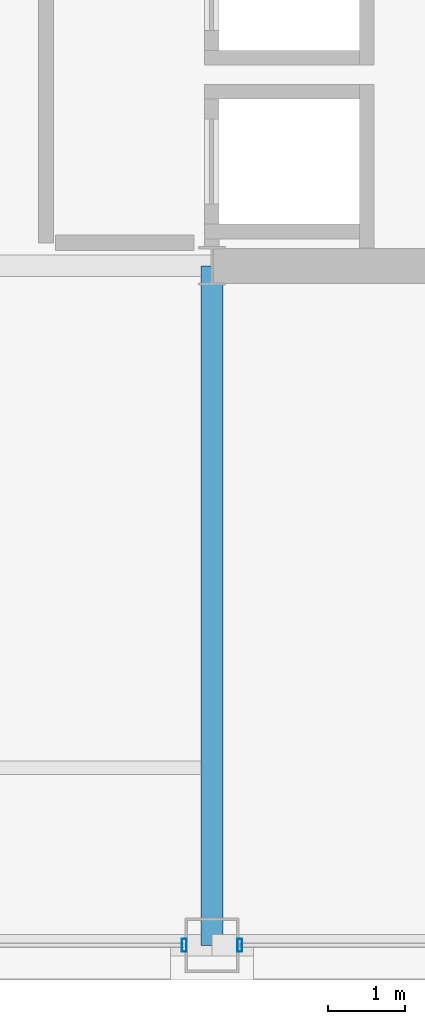
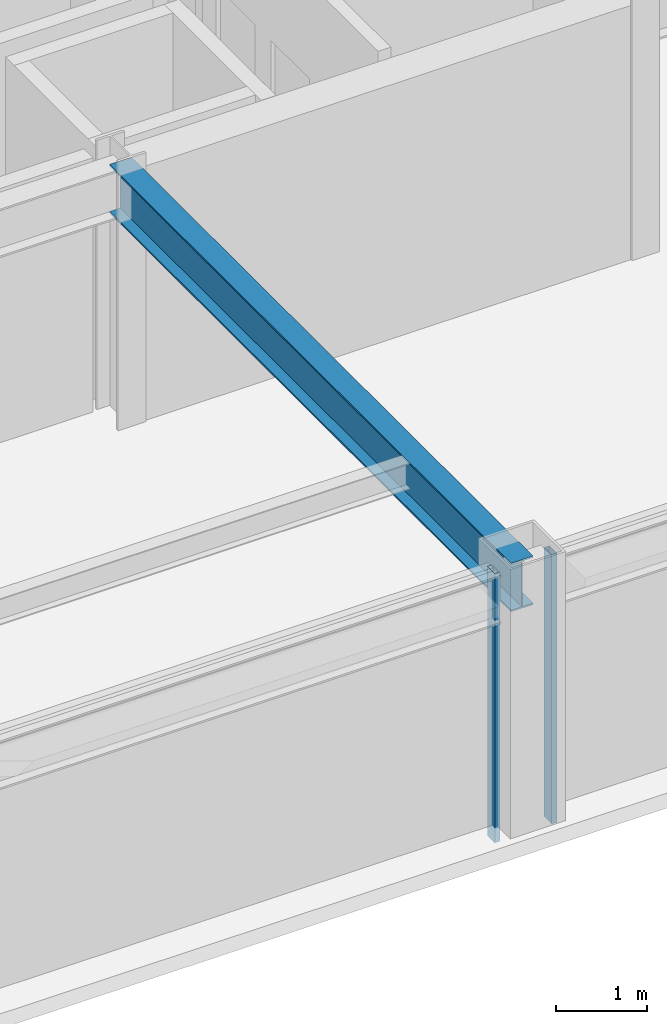
# One storey, part 6 of 29: 2 members, 1 beam, 2 elements without a shape of their own.
"""IFC4 building model written with IfcOpenShell, lengths in metres."""

from ifc_helpers import new_model, si_unit, direction, frame, origin, origin_2d, place, context, subcontext, project, spatial, hollow_rectangle, i_section, extrude, material, layer, layer_set, material_profile, profile_set, type_object, element, aggregate, save


model = new_model("IFC4")

# Units and contexts
model_context = context("Model", 3, precision=1e-05, world=origin(), true_north=direction((0.0, 1.0)))
body_context = subcontext(model_context, "Body", "Model", "MODEL_VIEW")
ifc_project = project(units=[si_unit("LENGTHUNIT", "METRE"), si_unit("AREAUNIT", "SQUARE_METRE"), si_unit("VOLUMEUNIT", "CUBIC_METRE"), si_unit("PLANEANGLEUNIT", "RADIAN"), si_unit("MASSUNIT", "GRAM", prefix="KILO")], contexts=[model_context])

# Site, building, storey
site_placement = place(None, origin())
site = spatial("IfcSite", under=ifc_project, at=site_placement, CompositionType="ELEMENT")
building_placement = place(site_placement, origin())
building = spatial("IfcBuilding", under=site, at=building_placement, Name="Brelmoor Portico Tower", CompositionType="ELEMENT")
storey_placement = place(building_placement, frame((0.0, 0.0, 201.89990234375)))
storey = spatial("IfcBuildingStorey", under=building, at=storey_placement, Name="L53", CompositionType="ELEMENT", Elevation=201.89990234375)

# Beam
ifc_material_1 = material(Name="Steel Q355B", Category="steel")
ifc_material_profile_1 = material_profile(ifc_material_1, i_section(OverallWidth=0.280029296875, OverallDepth=0.64990234375, WebThickness=0.012939453125, FlangeThickness=0.02197265625, at=origin_2d()), Name="HN 650x280x13x22")
ifc_profile_set_1 = profile_set([ifc_material_profile_1], Name="Steel Q355B")
beam_type = type_object("IfcBeamType", Name="BM-PG-650", PredefinedType="BEAM", material=ifc_profile_set_1)
beam_placement = place(storey_placement, frame((8.050048828125, -18.550048828125, 3.0751953125), z_axis=(0.0, 1.0, 0.0), x_axis=(-1.0, 0.0, 0.0)))
element("IfcBeam", 1, at=beam_placement, inside=storey, type_object=beam_type, Name="L53 Primary Floor Girder PG-06", PredefinedType="BEAM", context=body_context, shape_type="SweptSolid", body=[
    extrude(i_section(OverallWidth=0.280029296875, OverallDepth=0.64990234375, WebThickness=0.012939453125, FlangeThickness=0.02197265625, at=origin_2d()), origin(), (0.0, 0.0, 1.0), 8.800048828125),
])

# Curtain wall, member
ifc_material_2 = material(Name="Anodised Aluminium Alloy 6063-T6", Category="aluminium")
ifc_layer = layer(ifc_material_2, 0.179931640625)
ifc_layer_set = layer_set([ifc_layer], Name="Anodised Aluminium Alloy 6063-T6")
curtain_wall_type = type_object("IfcCurtainWallType", Name="CW-TOWER-Z3-XB", PredefinedType="NOTDEFINED", material=ifc_layer_set)
curtain_wall_1_placement = place(storey_placement, origin())
curtain_wall_1 = element("IfcCurtainWall", 2, at=curtain_wall_1_placement, inside=storey, type_object=curtain_wall_type, Name="L53 Curtain Wall CW-L53-01-2", PredefinedType="NOTDEFINED")
ifc_material_profile_2 = material_profile(ifc_material_2, hollow_rectangle(XDim=0.06494140625, YDim=0.1650390625, WallThickness=0.00390625, at=origin_2d()), Name="ALU MULLION 65x165")
ifc_profile_set_2 = profile_set([ifc_material_profile_2], Name="Anodised Aluminium Alloy 6063-T6")
member_type = type_object("IfcMemberType", Name="MB-CW-MULL-165", PredefinedType="MULLION", material=ifc_profile_set_2)
member_1_placement = place(storey_placement, frame((7.68994140625, -18.550048828125, -0.199951171875), z_axis=(0.0, 0.0, 1.0), x_axis=(1.0, 0.0, 0.0)))
member_1 = element("IfcMember", 3, at=member_1_placement, type_object=member_type, Name="CW-L53-01-2 Mullion 01", PredefinedType="MULLION", context=body_context, shape_type="SweptSolid", body=[
    extrude(hollow_rectangle(XDim=0.06494140625, YDim=0.1650390625, WallThickness=0.00390625, at=origin_2d()), origin(), (0.0, 0.0, 1.0), 3.60009765625),
])
aggregate(curtain_wall_1, [member_1])

curtain_wall_2_placement = place(storey_placement, origin())
curtain_wall_2 = element("IfcCurtainWall", 4, at=curtain_wall_2_placement, inside=storey, type_object=curtain_wall_type, Name="L53 Curtain Wall CW-L53-01-3", PredefinedType="NOTDEFINED")
member_2_placement = place(storey_placement, frame((8.409912109375, -18.550048828125, -0.199951171875), z_axis=(0.0, 0.0, 1.0), x_axis=(1.0, 0.0, 0.0)))
member_2 = element("IfcMember", 5, at=member_2_placement, type_object=member_type, Name="CW-L53-01-3 Mullion 00", PredefinedType="MULLION", context=body_context, shape_type="SweptSolid", body=[
    extrude(hollow_rectangle(XDim=0.06494140625, YDim=0.1650390625, WallThickness=0.00390625, at=origin_2d()), origin(), (0.0, 0.0, 1.0), 3.60009765625),
])
aggregate(curtain_wall_2, [member_2])

save(model, "model.ifc")
